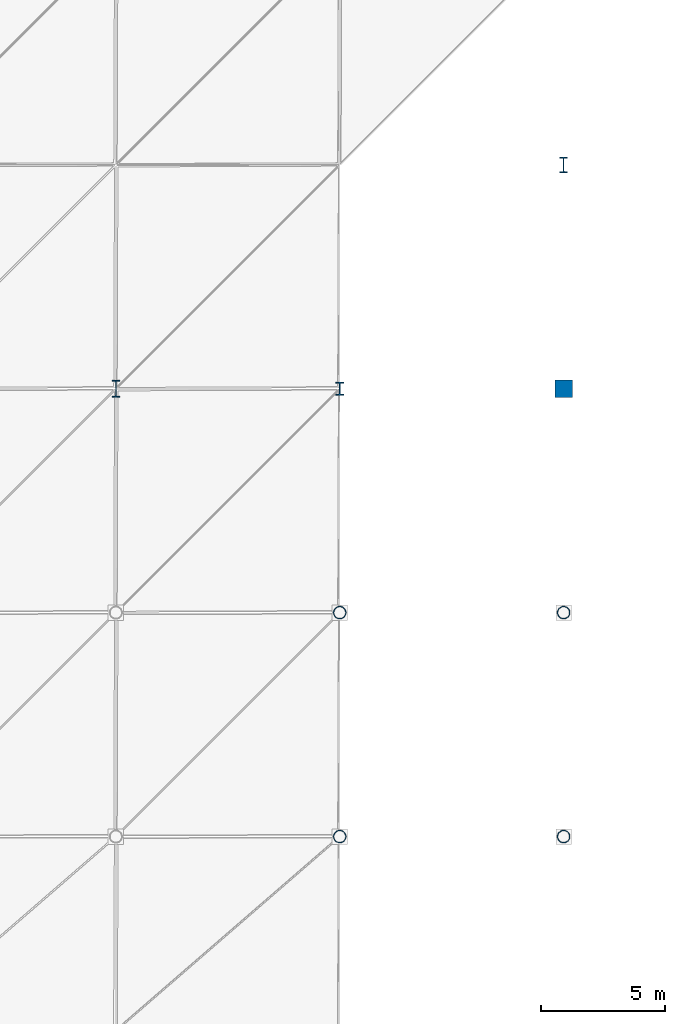
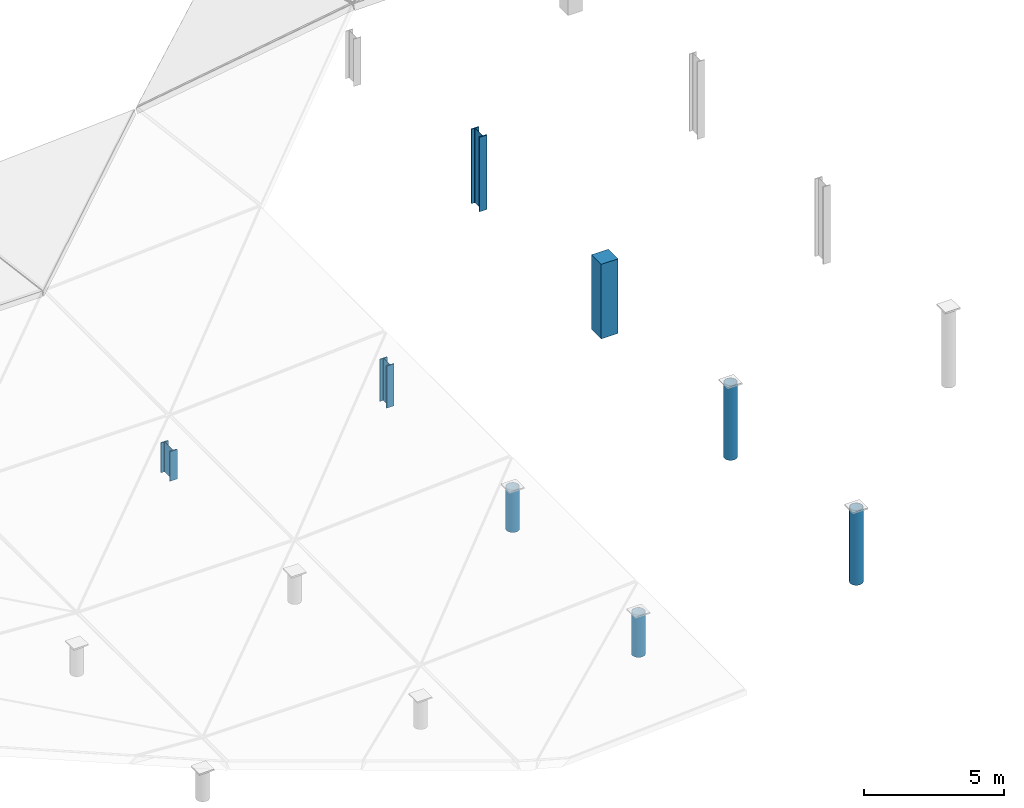
# One storey, part 2 of 58: 8 columns.
"""IFC4 building model written with IfcOpenShell, lengths in metres."""

from ifc_helpers import new_model, si_unit, direction, frame, origin, origin_2d, place, context, subcontext, project, spatial, rectangle, hollow_circle, i_section, extrude, material, material_profile, profile_set, type_object, element, save


model = new_model("IFC4")

# Units and contexts
model_context = context("Model", 3, precision=1e-05, world=origin(), true_north=direction((0.0, 1.0)))
body_context = subcontext(model_context, "Body", "Model", "MODEL_VIEW")
ifc_project = project(units=[si_unit("LENGTHUNIT", "METRE"), si_unit("AREAUNIT", "SQUARE_METRE"), si_unit("VOLUMEUNIT", "CUBIC_METRE"), si_unit("PLANEANGLEUNIT", "RADIAN"), si_unit("MASSUNIT", "GRAM", prefix="KILO")], contexts=[model_context])

# Site, building, storey
site_placement = place(None, origin())
site = spatial("IfcSite", under=ifc_project, at=site_placement, CompositionType="ELEMENT")
building_placement = place(site_placement, origin())
building = spatial("IfcBuilding", under=site, at=building_placement, Name="Barlavento Convention Centre", CompositionType="ELEMENT")
storey_placement = place(building_placement, frame((0.0, 0.0, 26.800048828125)))
storey = spatial("IfcBuildingStorey", under=building, at=storey_placement, Name="L05", CompositionType="ELEMENT", Elevation=26.800048828125)

# Columns
ifc_material_1 = material(Name="Steel S460", Category="steel")
ifc_material_profile_1 = material_profile(ifc_material_1, hollow_circle(Radius=0.25390625, WallThickness=0.02001953125, at=origin_2d()), Name="CHS 508.0x20.0")
ifc_profile_set_1 = profile_set([ifc_material_profile_1], Name="Steel S460")
column_type_1 = type_object("IfcColumnType", Name="STR-COL-CHS508", PredefinedType="COLUMN", material=ifc_profile_set_1)
for number, where, z_axis, x_axis, name in (
    (1, (45.0, 0.0, 0.0), (0.0, 0.0, 1.0), (1.0, 0.0, 0.0), "L05 Congress hall column SC13"),
    (2, (45.0, 9.0, 0.0), (0.0, 0.0, 1.0), (1.0, 0.0, 0.0), "L05 Congress hall column SC13"),
):
    element("IfcColumn", number, at=place(storey_placement, frame(where, z_axis=z_axis, x_axis=x_axis)), inside=storey, type_object=column_type_1, Name=name, PredefinedType="COLUMN", context=body_context, shape_type="SweptSolid", body=[
        extrude(hollow_circle(Radius=0.25390625, WallThickness=0.02001953125, at=origin_2d()), origin(), (0.0, 0.0, 1.0), 1.84375),
    ])
for number, where, z_axis, x_axis, name in (
    (3, (54.0, 0.0, 0.0), (0.0, 0.0, 1.0), (1.0, 0.0, 0.0), "L05 Congress hall column SC13"),
    (4, (54.0, 9.0, 0.0), (0.0, 0.0, 1.0), (1.0, 0.0, 0.0), "L05 Congress hall column SC13"),
):
    element("IfcColumn", number, at=place(storey_placement, frame(where, z_axis=z_axis, x_axis=x_axis)), inside=storey, type_object=column_type_1, Name=name, PredefinedType="COLUMN", context=body_context, shape_type="SweptSolid", body=[
        extrude(hollow_circle(Radius=0.25390625, WallThickness=0.02001953125, at=origin_2d()), origin(), (0.0, 0.0, 1.0), 3.25634765625),
    ])
ifc_material_2 = material(Name="Steel S355", Category="steel")
ifc_material_profile_2 = material_profile(ifc_material_2, i_section(OverallWidth=0.305908203125, OverallDepth=0.52392578125, WebThickness=0.02099609375, FlangeThickness=0.0400390625, FilletRadius=0.027099609375, at=origin_2d()), Name="HEM 500")
ifc_profile_set_2 = profile_set([ifc_material_profile_2], Name="Steel S355")
column_type_2 = type_object("IfcColumnType", Name="STR-COL-HEM500", PredefinedType="COLUMN", material=ifc_profile_set_2)
column_1_placement = place(storey_placement, frame((45.0, 18.0, 0.0), z_axis=(0.0, 0.0, 1.0), x_axis=(1.0, 0.0, 0.0)))
element("IfcColumn", 5, at=column_1_placement, inside=storey, type_object=column_type_2, Name="L05 Congress hall column SC07", PredefinedType="COLUMN", context=body_context, shape_type="SweptSolid", body=[
    extrude(i_section(OverallWidth=0.305908203125, OverallDepth=0.52392578125, WebThickness=0.02099609375, FlangeThickness=0.0400390625, FilletRadius=0.027099609375, at=origin_2d()), origin(), (0.0, 0.0, 1.0), 1.84375),
])
ifc_material_profile_3 = material_profile(ifc_material_2, i_section(OverallWidth=0.304931640625, OverallDepth=0.6201171875, WebThickness=0.02099609375, FlangeThickness=0.0400390625, FilletRadius=0.027099609375, at=origin_2d()), Name="HEM 600")
ifc_profile_set_3 = profile_set([ifc_material_profile_3], Name="Steel S355")
column_type_3 = type_object("IfcColumnType", Name="STR-COL-HEM600", PredefinedType="COLUMN", material=ifc_profile_set_3)
column_2_placement = place(storey_placement, frame((54.0, 27.0, 0.0), z_axis=(0.0, 0.0, 1.0), x_axis=(1.0, 0.0, 0.0)))
element("IfcColumn", 6, at=column_2_placement, inside=storey, type_object=column_type_3, Name="L05 Congress hall column SC05", PredefinedType="COLUMN", context=body_context, shape_type="SweptSolid", body=[
    extrude(i_section(OverallWidth=0.304931640625, OverallDepth=0.6201171875, WebThickness=0.02099609375, FlangeThickness=0.0400390625, FilletRadius=0.027099609375, at=origin_2d()), origin(), (0.0, 0.0, 1.0), 3.25634765625),
])
ifc_material_profile_4 = material_profile(ifc_material_1, i_section(OverallWidth=0.304931640625, OverallDepth=0.66796875, WebThickness=0.02099609375, FlangeThickness=0.0400390625, FilletRadius=0.027099609375, at=origin_2d()), Name="HEM 650")
ifc_profile_set_4 = profile_set([ifc_material_profile_4], Name="Steel S460")
column_type_4 = type_object("IfcColumnType", Name="STR-COL-HEM650", PredefinedType="COLUMN", material=ifc_profile_set_4)
column_3_placement = place(storey_placement, frame((36.0, 18.0, 0.0), z_axis=(0.0, 0.0, 1.0), x_axis=(1.0, 0.0, 0.0)))
element("IfcColumn", 7, at=column_3_placement, inside=storey, type_object=column_type_4, Name="L05 Congress hall column SC04", PredefinedType="COLUMN", context=body_context, shape_type="SweptSolid", body=[
    extrude(i_section(OverallWidth=0.304931640625, OverallDepth=0.66796875, WebThickness=0.02099609375, FlangeThickness=0.0400390625, FilletRadius=0.027099609375, at=origin_2d()), origin(), (0.0, 0.0, 1.0), 1.300048828125),
])
ifc_material_3 = material(Name="Concrete C40/50", Category="concrete")
ifc_material_profile_5 = material_profile(ifc_material_3, rectangle(XDim=0.699951171875, YDim=0.699951171875, at=origin_2d()), Name="RC 700x700")
ifc_profile_set_5 = profile_set([ifc_material_profile_5], Name="Concrete C40/50")
column_type_5 = type_object("IfcColumnType", Name="STR-COL-RC700", PredefinedType="COLUMN", material=ifc_profile_set_5)
column_4_placement = place(storey_placement, frame((54.0, 18.0, 0.0), z_axis=(0.0, 0.0, 1.0), x_axis=(1.0, 0.0, 0.0)))
element("IfcColumn", 8, at=column_4_placement, inside=storey, type_object=column_type_5, Name="L05 Congress hall column CC06", PredefinedType="COLUMN", context=body_context, shape_type="SweptSolid", body=[
    extrude(rectangle(XDim=0.699951171875, YDim=0.699951171875, at=origin_2d()), origin(), (0.0, 0.0, 1.0), 3.25634765625),
])

save(model, "model.ifc")
